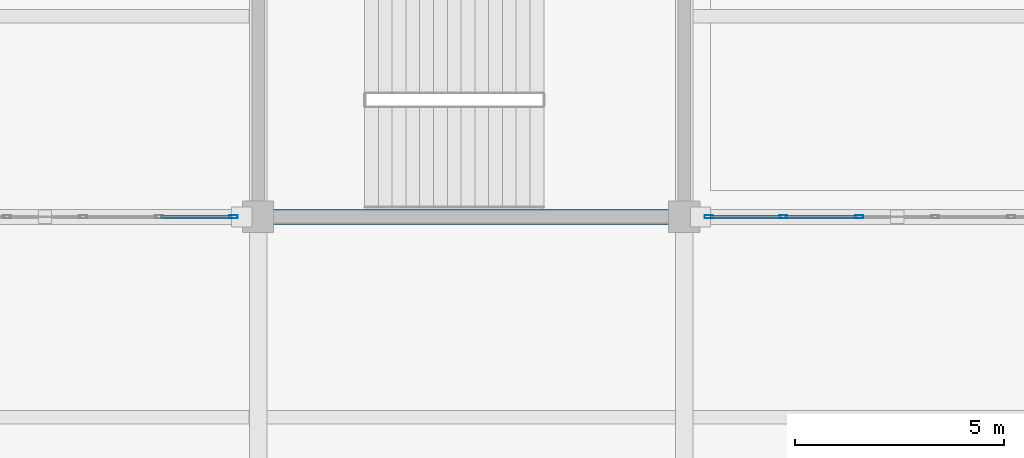
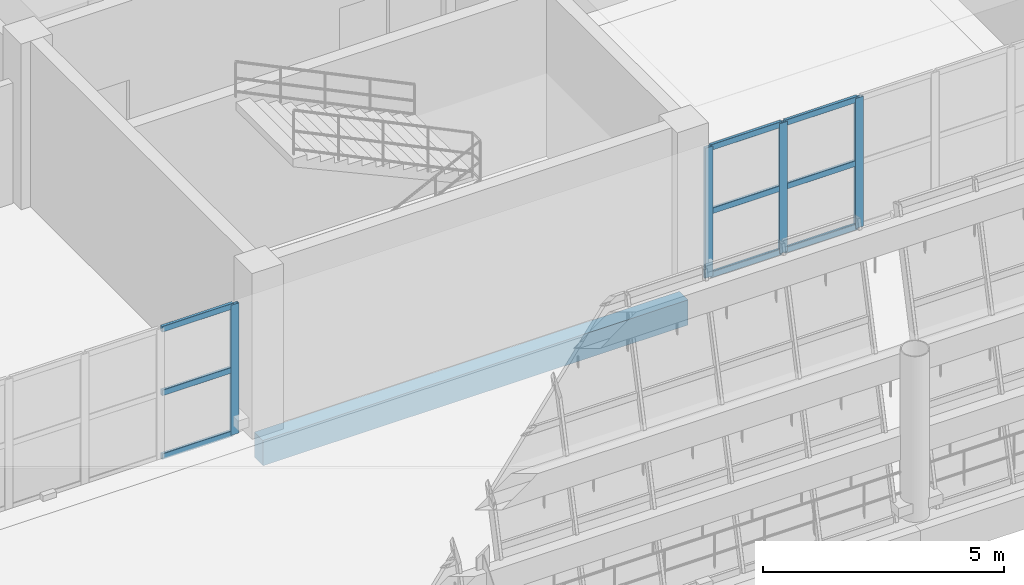
# One storey, part 38 of 157: 13 members, 1 beam, 2 elements without a shape of their own.
"""IFC4 building model written with IfcOpenShell, lengths in metres."""

import ifcopenshell
import ifcopenshell.guid

model = None  # the IFC model being written
_history = None  # IfcOwnerHistory: only IFC2X3 demands one
_inside = {}  # id of a spatial element -> (the spatial element, [elements in it])
_under = {}  # id of a project, library or spatial element -> (it, [spatial elements below it])
_declared = {}  # id of a project -> (the project, [libraries it declares])
_typed = {}  # id of a type object -> (the type object, [elements of that type])
_made_of = {}  # id of a material, layer set ... -> (it, [elements and type objects made of it])


def new_model(schema):
    """Start an empty IFC model of exactly this schema.

    Asked for "IFC4X3", IfcOpenShell would pick the latest addendum, in which some entities
    have other attributes; the version numbers below select the first issue.
    IFC2X3 requires an IfcOwnerHistory on every rooted entity: one is made here for all.
    """
    global model, _history
    if schema == "IFC4X3":
        model = ifcopenshell.file(schema_version=(4, 3, 0, 0))
    else:
        model = ifcopenshell.file(schema=schema)
    _inside.clear()
    _under.clear()
    _declared.clear()
    _typed.clear()
    _made_of.clear()
    _history = None
    if model.schema == "IFC2X3":
        org = make("IfcOrganization", Name="unknown")
        user = make(
            "IfcPersonAndOrganization",
            ThePerson=make("IfcPerson", FamilyName="unknown"),
            TheOrganization=org,
        )
        app = make(
            "IfcApplication",
            ApplicationDeveloper=org,
            Version="unknown",
            ApplicationFullName="unknown",
            ApplicationIdentifier="unknown",
        )
        _history = make(
            "IfcOwnerHistory",
            OwningUser=user,
            OwningApplication=app,
            ChangeAction="ADDED",
            CreationDate=0,
        )
    return model


def make(cls, **values):
    """One entity of the class cls with the attributes given. An attribute that is None is left unset."""
    return model.create_entity(
        cls, **{name: value for name, value in values.items() if value is not None}
    )


def rooted(cls, **values):
    """An entity with a GlobalId (a new one), such as an element, a storey or a relation."""
    return make(cls, GlobalId=ifcopenshell.guid.new(), OwnerHistory=_history, **values)


def si_unit(unit_type, name, prefix=None):
    """IfcSIUnit, for example si_unit("LENGTHUNIT", "METRE", prefix="MILLI")."""
    return make("IfcSIUnit", UnitType=unit_type, Prefix=prefix, Name=name)


def assignment(units):
    """IfcUnitAssignment: the units of a project."""
    return None if units is None else make("IfcUnitAssignment", Units=units)


def point(xyz):
    """IfcCartesianPoint."""
    return None if xyz is None else make("IfcCartesianPoint", Coordinates=xyz)


def direction(xyz):
    """IfcDirection."""
    return None if xyz is None else make("IfcDirection", DirectionRatios=xyz)


def frame(location, z_axis=None, x_axis=None):
    """IfcAxis2Placement3D, a coordinate frame: its origin and axes. An axis left out is left unset."""
    return make(
        "IfcAxis2Placement3D",
        Location=point(location),
        Axis=direction(z_axis),
        RefDirection=direction(x_axis),
    )


def frame_2d(location, x_axis=None):
    """IfcAxis2Placement2D, a coordinate frame in the plane: its origin and x axis."""
    return make(
        "IfcAxis2Placement2D", Location=point(location), RefDirection=direction(x_axis)
    )


def origin():
    """The frame at (0, 0, 0) with its axes left unset."""
    return frame((0.0, 0.0, 0.0))


def origin_2d():
    """The frame at (0, 0) in the plane with its x axis left unset."""
    return frame_2d((0.0, 0.0))


def place(relative_to, where):
    """IfcLocalPlacement: puts the frame where relative to a parent placement (None: the world)."""
    return make(
        "IfcLocalPlacement", PlacementRelTo=relative_to, RelativePlacement=where
    )


def context(
    kind, dimensions, precision=None, world=None, true_north=None, identifier=None
):
    """IfcGeometricRepresentationContext, for example the 3D "Model" context."""
    return make(
        "IfcGeometricRepresentationContext",
        ContextIdentifier=identifier,
        ContextType=kind,
        CoordinateSpaceDimension=dimensions,
        Precision=precision,
        WorldCoordinateSystem=world,
        TrueNorth=true_north,
    )


def subcontext(parent, identifier, kind, view, scale=None):
    """IfcGeometricRepresentationSubContext, for example "Body" below "Model"."""
    return make(
        "IfcGeometricRepresentationSubContext",
        ContextIdentifier=identifier,
        ContextType=kind,
        ParentContext=parent,
        TargetScale=scale,
        TargetView=view,
    )


def project(units=None, contexts=None):
    """IfcProject with its units and contexts."""
    return rooted(
        "IfcProject",
        Name="project",
        RepresentationContexts=contexts,
        UnitsInContext=assignment(units),
    )


def spatial(cls, under=None, at=None, **own):
    """A site, building, storey or space (cls), placed at a placement, below another one or the project."""
    s = rooted(cls, ObjectPlacement=at, **own)
    if under is not None:
        _under.setdefault(under.id(), (under, []))[1].append(s)
    return s


def profile(cls, at=None, kind="AREA", **sizes):
    """A parametric profile (cls). Its sizes go by their IFC names, for example OverallWidth=200.0."""
    return make(cls, ProfileType=kind, Position=at, **sizes)


def rectangle(**sizes):
    """IfcRectangleProfileDef."""
    return profile("IfcRectangleProfileDef", **sizes)


def hollow_rectangle(**sizes):
    """IfcRectangleHollowProfileDef."""
    return profile("IfcRectangleHollowProfileDef", **sizes)


def extrude(swept, where, along, depth):
    """IfcExtrudedAreaSolid: the profile swept, set in the frame where, extruded along a direction by depth."""
    return make(
        "IfcExtrudedAreaSolid",
        SweptArea=swept,
        Position=where,
        ExtrudedDirection=direction(along),
        Depth=depth,
    )


def shape(context_of_items, identifier, shape_type, items):
    """IfcShapeRepresentation: the items that make up one representation, for example the "Body"."""
    return make(
        "IfcShapeRepresentation",
        ContextOfItems=context_of_items,
        RepresentationIdentifier=identifier,
        RepresentationType=shape_type,
        Items=items,
    )


def material(Name=None, Category=None):
    """IfcMaterial."""
    return make("IfcMaterial", Name=Name, Category=Category)


def material_profile(
    of_material, cross_section, Name=None, Category=None, Priority=None
):
    """IfcMaterialProfile: a cross section and its material."""
    return make(
        "IfcMaterialProfile",
        Name=Name,
        Material=of_material,
        Profile=cross_section,
        Priority=Priority,
        Category=Category,
    )


def profile_set(profiles, Name=None, composite=None):
    """IfcMaterialProfileSet."""
    return make(
        "IfcMaterialProfileSet",
        Name=Name,
        MaterialProfiles=profiles,
        CompositeProfile=composite,
    )


def made_of(thing, what):
    """Note that an element or type object is made of a material, layer set ...; save() writes the relation."""
    if what is not None:
        _made_of.setdefault(what.id(), (what, []))[1].append(thing)
    return thing


def type_object(cls, material=None, **own):
    """A type object (cls), such as IfcWallType, which elements share."""
    return made_of(rooted(cls, **own), material)


def element(
    cls,
    number,
    at=None,
    inside=None,
    cuts=None,
    type_object=None,
    material=None,
    context=None,
    identifier="Body",
    shape_type=None,
    held_by="IfcProductDefinitionShape",
    body=None,
    shapes=None,
    **own,
):
    """One element of the class cls, such as IfcWall. Its Tag is "e" and its number.

    at: its placement. inside: the storey or other place that contains it. cuts: it is an
    opening in that element (IfcRelVoidsElement). A single representation is given by context,
    identifier, shape_type and body (its items); several are given by shapes. held_by: the class
    of the entity that holds the representations. save() writes the other relations.
    """
    e = rooted(cls, Tag="e%d" % number, ObjectPlacement=at, **own)
    if body is not None:
        shapes = [shape(context, identifier, shape_type, body)]
    if shapes is not None:
        e.Representation = make(held_by, Representations=shapes)
    if inside is not None:
        _inside.setdefault(inside.id(), (inside, []))[1].append(e)
    if cuts is not None:
        rooted(
            "IfcRelVoidsElement", RelatingBuildingElement=cuts, RelatedOpeningElement=e
        )
    if type_object is not None:
        _typed.setdefault(type_object.id(), (type_object, []))[1].append(e)
    return made_of(e, material)


def aggregate(whole, parts):
    """IfcRelAggregates: a whole, such as a stair, and the parts it consists of."""
    return rooted("IfcRelAggregates", RelatingObject=whole, RelatedObjects=parts)


def save(model, path):
    """Write the relations noted so far, then the file.

    IfcRelAggregates (storeys below a building ...), IfcRelContainedInSpatialStructure (elements
    in a storey), IfcRelDefinesByType, IfcRelAssociatesMaterial and IfcRelDeclares: one each for
    every whole, place, type object, material and project.
    """
    for whole, parts in _under.values():
        aggregate(whole, parts)
    for where, things in _inside.values():
        rooted(
            "IfcRelContainedInSpatialStructure",
            RelatedElements=things,
            RelatingStructure=where,
        )
    for kind, things in _typed.values():
        rooted("IfcRelDefinesByType", RelatedObjects=things, RelatingType=kind)
    for what, things in _made_of.values():
        rooted("IfcRelAssociatesMaterial", RelatedObjects=things, RelatingMaterial=what)
    for by, libraries in _declared.values():
        rooted("IfcRelDeclares", RelatingContext=by, RelatedDefinitions=libraries)
    model.write(path)


model = new_model("IFC4")

# Units and contexts
model_context = context("Model", 3, precision=1e-05, world=origin(), true_north=direction((0.0, 1.0)))
body_context = subcontext(model_context, "Body", "Model", "MODEL_VIEW")
ifc_project = project(units=[si_unit("LENGTHUNIT", "METRE"), si_unit("AREAUNIT", "SQUARE_METRE"), si_unit("VOLUMEUNIT", "CUBIC_METRE"), si_unit("PLANEANGLEUNIT", "RADIAN"), si_unit("MASSUNIT", "GRAM", prefix="KILO")], contexts=[model_context])

# Site, building, storey
site_placement = place(None, origin())
site = spatial("IfcSite", under=ifc_project, at=site_placement, CompositionType="ELEMENT")
building_placement = place(site_placement, origin())
building = spatial("IfcBuilding", under=site, at=building_placement, Name="Brelvane Convention Centre", CompositionType="ELEMENT")
storey_placement = place(building_placement, frame((0.0, 0.0, 10.800048828125)))
storey = spatial("IfcBuildingStorey", under=building, at=storey_placement, Name="L02", CompositionType="ELEMENT", Elevation=10.800048828125)

# Curtain wall, member
ifc_material_1 = material(Name="Anodised Aluminium Alloy 6063-T6", Category="aluminium")
curtain_wall_type = type_object("IfcCurtainWallType", Name="Curtain Wall CW-COURT", PredefinedType="USERDEFINED", material=ifc_material_1)
curtain_wall_1_placement = place(storey_placement, origin())
curtain_wall_1 = element("IfcCurtainWall", 1, at=curtain_wall_1_placement, inside=storey, type_object=curtain_wall_type, Name="Curtain Wall CW-COURT L02-V4S-03", ObjectType="UNITISED", PredefinedType="USERDEFINED")
ifc_material_2 = material(Name="Anodised Aluminium Alloy 6063-T6", Category="aluminium")
ifc_material_profile_1 = material_profile(ifc_material_2, hollow_rectangle(XDim=0.074951171875, YDim=0.199951171875, WallThickness=0.0048828125, InnerFilletRadius=0.0048828125, OuterFilletRadius=0.010009765625, at=origin_2d()), Name="ALU-M 200x75x5.0")
ifc_profile_set_1 = profile_set([ifc_material_profile_1], Name="Anodised Aluminium Alloy 6063-T6")
member_type_1 = type_object("IfcMemberType", Name="Curtain Mullion CW-M2", PredefinedType="MULLION", material=ifc_profile_set_1)
member_1_placement = place(storey_placement, frame((30.012451171875, 109.199951171875, 0.0), z_axis=(0.0, 0.0, 1.0), x_axis=(0.0, 1.0, 0.0)))
member_1 = element("IfcMember", 2, at=member_1_placement, type_object=member_type_1, Name="CW-COURT mullion 6", PredefinedType="MULLION", context=body_context, shape_type="SweptSolid", body=[
    extrude(hollow_rectangle(XDim=0.074951171875, YDim=0.199951171875, WallThickness=0.0048828125, InnerFilletRadius=0.0048828125, OuterFilletRadius=0.010009765625, at=origin_2d()), origin(), (0.0, 0.0, 1.0), 3.300048828125),
])

# Curtain wall, members
curtain_wall_2_placement = place(storey_placement, origin())
curtain_wall_2 = element("IfcCurtainWall", 3, at=curtain_wall_2_placement, inside=storey, type_object=curtain_wall_type, Name="Curtain Wall CW-COURT L02-V4S-05", ObjectType="UNITISED", PredefinedType="USERDEFINED")
member_2_placement = place(storey_placement, frame((41.387451171875, 109.199951171875, 0.0), z_axis=(0.0, 0.0, 1.0), x_axis=(0.0, 1.0, 0.0)))
member_2 = element("IfcMember", 4, at=member_2_placement, type_object=member_type_1, Name="CW-COURT mullion 1", PredefinedType="MULLION", context=body_context, shape_type="SweptSolid", body=[
    extrude(hollow_rectangle(XDim=0.074951171875, YDim=0.199951171875, WallThickness=0.0048828125, InnerFilletRadius=0.0048828125, OuterFilletRadius=0.010009765625, at=origin_2d()), origin(), (0.0, 0.0, 1.0), 3.300048828125),
])
member_3_placement = place(storey_placement, frame((43.169921875, 109.199951171875, 0.0), z_axis=(0.0, 0.0, 1.0), x_axis=(0.0, 1.0, 0.0)))
member_3 = element("IfcMember", 5, at=member_3_placement, type_object=member_type_1, Name="CW-COURT mullion 2", PredefinedType="MULLION", context=body_context, shape_type="SweptSolid", body=[
    extrude(hollow_rectangle(XDim=0.074951171875, YDim=0.199951171875, WallThickness=0.0048828125, InnerFilletRadius=0.0048828125, OuterFilletRadius=0.010009765625, at=origin_2d()), origin(), (0.0, 0.0, 1.0), 3.300048828125),
])
member_4_placement = place(storey_placement, frame((44.989990234375, 109.199951171875, 0.0), z_axis=(0.0, 0.0, 1.0), x_axis=(0.0, 1.0, 0.0)))
member_4 = element("IfcMember", 6, at=member_4_placement, type_object=member_type_1, Name="CW-COURT mullion 3", PredefinedType="MULLION", context=body_context, shape_type="SweptSolid", body=[
    extrude(hollow_rectangle(XDim=0.074951171875, YDim=0.199951171875, WallThickness=0.0048828125, InnerFilletRadius=0.0048828125, OuterFilletRadius=0.010009765625, at=origin_2d()), origin(), (0.0, 0.0, 1.0), 3.300048828125),
])

# Member
ifc_material_3 = material(Name="Anodised Aluminium Alloy 6063-T6", Category="aluminium")
ifc_material_profile_2 = material_profile(ifc_material_3, hollow_rectangle(XDim=0.070068359375, YDim=0.14990234375, WallThickness=0.00439453125, InnerFilletRadius=0.00439453125, OuterFilletRadius=0.009033203125, at=origin_2d()), Name="ALU-T 150x70x4.5")
ifc_profile_set_2 = profile_set([ifc_material_profile_2], Name="Anodised Aluminium Alloy 6063-T6")
member_type_2 = type_object("IfcMemberType", Name="Curtain Transom CW-T2", PredefinedType="USERDEFINED", material=ifc_profile_set_2)
member_5_placement = place(storey_placement, frame((28.267578125, 109.199951171875, 0.034912109375), z_axis=(1.0, 0.0, 0.0), x_axis=(0.0, 1.0, 0.0)))
member_5 = element("IfcMember", 7, at=member_5_placement, type_object=member_type_2, Name="CW-COURT transom 5.1", ObjectType="TRANSOM", PredefinedType="USERDEFINED", context=body_context, shape_type="SweptSolid", body=[
    extrude(hollow_rectangle(XDim=0.070068359375, YDim=0.14990234375, WallThickness=0.00439453125, InnerFilletRadius=0.00439453125, OuterFilletRadius=0.009033203125, at=origin_2d()), origin(), (0.0, 0.0, 1.0), 1.70751953125),
])

member_6_placement = place(storey_placement, frame((28.267578125, 109.199951171875, 1.64990234375), z_axis=(1.0, 0.0, 0.0), x_axis=(0.0, 1.0, 0.0)))
member_6 = element("IfcMember", 8, at=member_6_placement, type_object=member_type_2, Name="CW-COURT transom 5.2", ObjectType="TRANSOM", PredefinedType="USERDEFINED", context=body_context, shape_type="SweptSolid", body=[
    extrude(hollow_rectangle(XDim=0.070068359375, YDim=0.14990234375, WallThickness=0.00439453125, InnerFilletRadius=0.00439453125, OuterFilletRadius=0.009033203125, at=origin_2d()), origin(), (0.0, 0.0, 1.0), 1.70751953125),
])

member_7_placement = place(storey_placement, frame((28.267578125, 109.199951171875, 3.264892578125), z_axis=(1.0, 0.0, 0.0), x_axis=(0.0, 1.0, 0.0)))
member_7 = element("IfcMember", 9, at=member_7_placement, type_object=member_type_2, Name="CW-COURT transom 5.3", ObjectType="TRANSOM", PredefinedType="USERDEFINED", context=body_context, shape_type="SweptSolid", body=[
    extrude(hollow_rectangle(XDim=0.070068359375, YDim=0.14990234375, WallThickness=0.00439453125, InnerFilletRadius=0.00439453125, OuterFilletRadius=0.009033203125, at=origin_2d()), origin(), (0.0, 0.0, 1.0), 1.70751953125),
])

aggregate(curtain_wall_1, [member_1, member_5, member_6, member_7])

member_8_placement = place(storey_placement, frame((41.425048828125, 109.199951171875, 0.034912109375), z_axis=(1.0, 0.0, 0.0), x_axis=(0.0, 1.0, 0.0)))
member_8 = element("IfcMember", 10, at=member_8_placement, type_object=member_type_2, Name="CW-COURT transom 1.1", ObjectType="TRANSOM", PredefinedType="USERDEFINED", context=body_context, shape_type="SweptSolid", body=[
    extrude(hollow_rectangle(XDim=0.070068359375, YDim=0.14990234375, WallThickness=0.00439453125, InnerFilletRadius=0.00439453125, OuterFilletRadius=0.009033203125, at=origin_2d()), origin(), (0.0, 0.0, 1.0), 1.70751953125),
])

member_9_placement = place(storey_placement, frame((41.425048828125, 109.199951171875, 1.64990234375), z_axis=(1.0, 0.0, 0.0), x_axis=(0.0, 1.0, 0.0)))
member_9 = element("IfcMember", 11, at=member_9_placement, type_object=member_type_2, Name="CW-COURT transom 1.2", ObjectType="TRANSOM", PredefinedType="USERDEFINED", context=body_context, shape_type="SweptSolid", body=[
    extrude(hollow_rectangle(XDim=0.070068359375, YDim=0.14990234375, WallThickness=0.00439453125, InnerFilletRadius=0.00439453125, OuterFilletRadius=0.009033203125, at=origin_2d()), origin(), (0.0, 0.0, 1.0), 1.70751953125),
])

member_10_placement = place(storey_placement, frame((41.425048828125, 109.199951171875, 3.264892578125), z_axis=(1.0, 0.0, 0.0), x_axis=(0.0, 1.0, 0.0)))
member_10 = element("IfcMember", 12, at=member_10_placement, type_object=member_type_2, Name="CW-COURT transom 1.3", ObjectType="TRANSOM", PredefinedType="USERDEFINED", context=body_context, shape_type="SweptSolid", body=[
    extrude(hollow_rectangle(XDim=0.070068359375, YDim=0.14990234375, WallThickness=0.00439453125, InnerFilletRadius=0.00439453125, OuterFilletRadius=0.009033203125, at=origin_2d()), origin(), (0.0, 0.0, 1.0), 1.70751953125),
])

member_11_placement = place(storey_placement, frame((43.20751953125, 109.199951171875, 0.034912109375), z_axis=(1.0, 0.0, 0.0), x_axis=(0.0, 1.0, 0.0)))
member_11 = element("IfcMember", 13, at=member_11_placement, type_object=member_type_2, Name="CW-COURT transom 2.1", ObjectType="TRANSOM", PredefinedType="USERDEFINED", context=body_context, shape_type="SweptSolid", body=[
    extrude(hollow_rectangle(XDim=0.070068359375, YDim=0.14990234375, WallThickness=0.00439453125, InnerFilletRadius=0.00439453125, OuterFilletRadius=0.009033203125, at=origin_2d()), origin(), (0.0, 0.0, 1.0), 1.744873046875),
])

member_12_placement = place(storey_placement, frame((43.20751953125, 109.199951171875, 1.64990234375), z_axis=(1.0, 0.0, 0.0), x_axis=(0.0, 1.0, 0.0)))
member_12 = element("IfcMember", 14, at=member_12_placement, type_object=member_type_2, Name="CW-COURT transom 2.2", ObjectType="TRANSOM", PredefinedType="USERDEFINED", context=body_context, shape_type="SweptSolid", body=[
    extrude(hollow_rectangle(XDim=0.070068359375, YDim=0.14990234375, WallThickness=0.00439453125, InnerFilletRadius=0.00439453125, OuterFilletRadius=0.009033203125, at=origin_2d()), origin(), (0.0, 0.0, 1.0), 1.744873046875),
])

member_13_placement = place(storey_placement, frame((43.20751953125, 109.199951171875, 3.264892578125), z_axis=(1.0, 0.0, 0.0), x_axis=(0.0, 1.0, 0.0)))
member_13 = element("IfcMember", 15, at=member_13_placement, type_object=member_type_2, Name="CW-COURT transom 2.3", ObjectType="TRANSOM", PredefinedType="USERDEFINED", context=body_context, shape_type="SweptSolid", body=[
    extrude(hollow_rectangle(XDim=0.070068359375, YDim=0.14990234375, WallThickness=0.00439453125, InnerFilletRadius=0.00439453125, OuterFilletRadius=0.009033203125, at=origin_2d()), origin(), (0.0, 0.0, 1.0), 1.744873046875),
])

aggregate(curtain_wall_2, [member_2, member_3, member_4, member_8, member_9, member_10, member_11, member_12, member_13])

# Beam
ifc_material_4 = material(Name="Concrete M40", Category="concrete")
ifc_material_profile_3 = material_profile(ifc_material_4, rectangle(XDim=0.360107421875, YDim=0.639892578125, at=origin_2d()), Name="RC 360x640")
ifc_profile_set_3 = profile_set([ifc_material_profile_3], Name="Concrete M40")
beam_type = type_object("IfcBeamType", Name="RC Spandrel SP-RC3 (RC 360x640)", PredefinedType="SPANDREL", material=ifc_profile_set_3)
beam_placement = place(storey_placement, frame((30.60009765625, 109.199951171875, -0.60009765625), z_axis=(1.0, 0.0, 0.0), x_axis=(0.0, 1.0, 0.0)))
element("IfcBeam", 16, at=beam_placement, inside=storey, type_object=beam_type, Name="L02 Beam 4-5/L", PredefinedType="SPANDREL", context=body_context, shape_type="SweptSolid", body=[
    extrude(rectangle(XDim=0.360107421875, YDim=0.639892578125, at=origin_2d()), origin(), (0.0, 0.0, 1.0), 10.199951171875),
])

save(model, "model.ifc")
